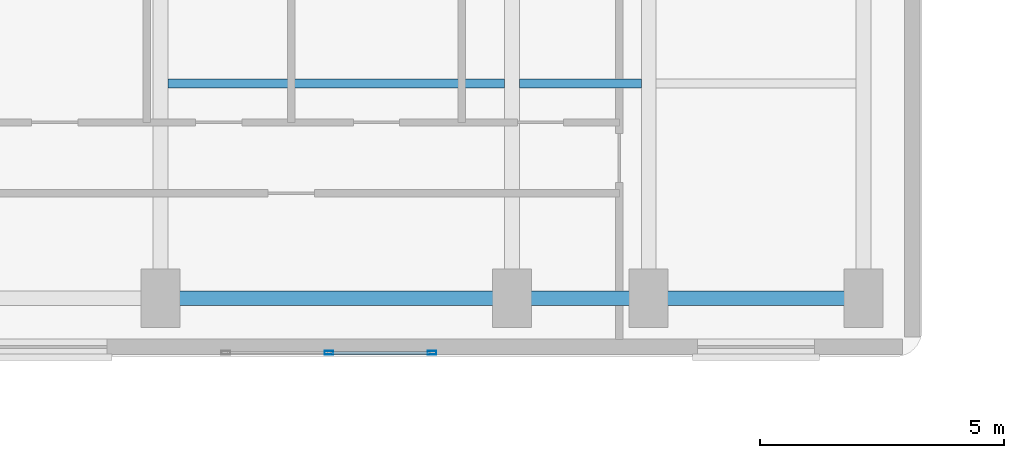
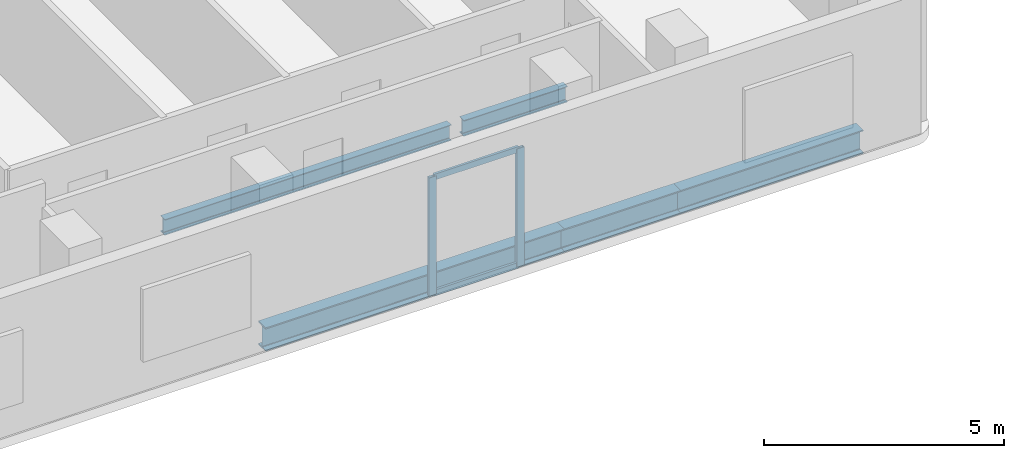
# One storey, part 6 of 16: 5 beams, 4 members, 1 element without a shape of its own.
"""IFC4 building model written with IfcOpenShell, lengths in metres."""

from ifc_helpers import new_model, si_unit, direction, frame, origin, origin_2d, place, context, subcontext, project, spatial, hollow_rectangle, i_section, extrude, material, material_profile, profile_set, type_object, element, aggregate, save


model = new_model("IFC4")

# Units and contexts
model_context = context("Model", 3, precision=1e-05, world=origin(), true_north=direction((0.0, 1.0)))
body_context = subcontext(model_context, "Body", "Model", "MODEL_VIEW")
ifc_project = project(units=[si_unit("LENGTHUNIT", "METRE"), si_unit("AREAUNIT", "SQUARE_METRE"), si_unit("VOLUMEUNIT", "CUBIC_METRE"), si_unit("PLANEANGLEUNIT", "RADIAN"), si_unit("MASSUNIT", "GRAM", prefix="KILO")], contexts=[model_context])

# Site, building, storey
site_placement = place(None, origin())
site = spatial("IfcSite", under=ifc_project, at=site_placement, CompositionType="ELEMENT")
building_placement = place(site_placement, origin())
building = spatial("IfcBuilding", under=site, at=building_placement, Name="Kuzgunbayir Cultural Tower", CompositionType="ELEMENT")
storey_placement = place(building_placement, frame((0.0, 0.0, 75.60009765625)))
storey = spatial("IfcBuildingStorey", under=building, at=storey_placement, Name="L21", CompositionType="ELEMENT", Elevation=75.60009765625)

# Beams
ifc_material_1 = material(Name="Steel S355J2", Category="steel")
ifc_material_profile_1 = material_profile(ifc_material_1, i_section(OverallWidth=0.300048828125, OverallDepth=0.60009765625, WebThickness=0.015380859375, FlangeThickness=0.030029296875, FilletRadius=0.027099609375, at=origin_2d()), Name="HEB 600")
ifc_profile_set_1 = profile_set([ifc_material_profile_1], Name="Steel S355J2")
beam_type_1 = type_object("IfcBeamType", Name="BM-EXT-HEB600", PredefinedType="BEAM", material=ifc_profile_set_1)
beam_1_placement = place(storey_placement, frame((31.199951171875, 27.60009765625, -0.5400390625), z_axis=(1.0, 0.0, 0.0), x_axis=(0.0, 1.0, 0.0)))
element("IfcBeam", 1, at=beam_1_placement, inside=storey, type_object=beam_type_1, Name="L21 Wing B South Girder 2", PredefinedType="BEAM", context=body_context, shape_type="SweptSolid", body=[
    extrude(i_section(OverallWidth=0.300048828125, OverallDepth=0.60009765625, WebThickness=0.015380859375, FlangeThickness=0.030029296875, FilletRadius=0.027099609375, at=origin_2d()), origin(), (0.0, 0.0, 1.0), 7.199951171875),
])
beam_2_placement = place(storey_placement, frame((38.39990234375, 27.60009765625, -0.5400390625), z_axis=(1.0, 0.0, 0.0), x_axis=(0.0, 1.0, 0.0)))
element("IfcBeam", 2, at=beam_2_placement, inside=storey, type_object=beam_type_1, Name="L21 Wing B South Girder 3", PredefinedType="BEAM", context=body_context, shape_type="SweptSolid", body=[
    extrude(i_section(OverallWidth=0.300048828125, OverallDepth=0.60009765625, WebThickness=0.015380859375, FlangeThickness=0.030029296875, FilletRadius=0.027099609375, at=origin_2d()), origin(), (0.0, 0.0, 1.0), 2.800048828125),
])
beam_3_placement = place(storey_placement, frame((41.199951171875, 27.60009765625, -0.5400390625), z_axis=(1.0, 0.0, 0.0), x_axis=(0.0, 1.0, 0.0)))
element("IfcBeam", 3, at=beam_3_placement, inside=storey, type_object=beam_type_1, Name="L21 Wing B South Girder 4", PredefinedType="BEAM", context=body_context, shape_type="SweptSolid", body=[
    extrude(i_section(OverallWidth=0.300048828125, OverallDepth=0.60009765625, WebThickness=0.015380859375, FlangeThickness=0.030029296875, FilletRadius=0.027099609375, at=origin_2d()), origin(), (0.0, 0.0, 1.0), 4.400146484375),
])
ifc_material_profile_2 = material_profile(ifc_material_1, i_section(OverallWidth=0.179931640625, OverallDepth=0.39990234375, WebThickness=0.008544921875, FlangeThickness=0.013427734375, FilletRadius=0.02099609375, at=origin_2d()), Name="IPE 400")
ifc_profile_set_2 = profile_set([ifc_material_profile_2], Name="Steel S355J2")
beam_type_2 = type_object("IfcBeamType", Name="BM-JST-IPE400", PredefinedType="JOIST", material=ifc_profile_set_2)
beam_4_placement = place(storey_placement, frame((31.35009765625, 32.0, -0.440185546875), z_axis=(1.0, 0.0, 0.0), x_axis=(0.0, 1.0, 0.0)))
element("IfcBeam", 4, at=beam_4_placement, inside=storey, type_object=beam_type_2, Name="L21 Wing B Secondary Joist 1.1", PredefinedType="JOIST", context=body_context, shape_type="SweptSolid", body=[
    extrude(i_section(OverallWidth=0.179931640625, OverallDepth=0.39990234375, WebThickness=0.008544921875, FlangeThickness=0.013427734375, FilletRadius=0.02099609375, at=origin_2d()), origin(), (0.0, 0.0, 1.0), 6.89990234375),
])
beam_5_placement = place(storey_placement, frame((38.550048828125, 32.0, -0.440185546875), z_axis=(1.0, 0.0, 0.0), x_axis=(0.0, 1.0, 0.0)))
element("IfcBeam", 5, at=beam_5_placement, inside=storey, type_object=beam_type_2, Name="L21 Wing B Secondary Joist 2.1", PredefinedType="JOIST", context=body_context, shape_type="SweptSolid", body=[
    extrude(i_section(OverallWidth=0.179931640625, OverallDepth=0.39990234375, WebThickness=0.008544921875, FlangeThickness=0.013427734375, FilletRadius=0.02099609375, at=origin_2d()), origin(), (0.0, 0.0, 1.0), 2.5),
])

# Curtain wall, members
ifc_material_2 = material(Name="Anodised Aluminium Framing", Category="aluminium")
curtain_wall_type = type_object("IfcCurtainWallType", Name="CW03-T1-OFFICE", PredefinedType="NOTDEFINED", material=ifc_material_2)
curtain_wall_placement = place(storey_placement, origin())
curtain_wall = element("IfcCurtainWall", 6, at=curtain_wall_placement, inside=storey, type_object=curtain_wall_type, Name="L21 Wing B South Feature Curtain Wall", PredefinedType="NOTDEFINED")
ifc_material_profile_3 = material_profile(ifc_material_2, hollow_rectangle(XDim=0.074951171875, YDim=0.179931640625, WallThickness=0.0048828125, at=origin_2d()), Name="RHS 180x75x5")
ifc_profile_set_3 = profile_set([ifc_material_profile_3], Name="Anodised Aluminium Framing")
member_type_1 = type_object("IfcMemberType", Name="MEM-CW-MULLION-180", PredefinedType="MULLION", material=ifc_profile_set_3)
member_1_placement = place(storey_placement, frame((34.64990234375, 26.47998046875, 0.0), z_axis=(0.0, 0.0, 1.0), x_axis=(0.0, 1.0, 0.0)))
member_1 = element("IfcMember", 7, at=member_1_placement, type_object=member_type_1, Name="CW03 mullion 2", PredefinedType="MULLION", context=body_context, shape_type="SweptSolid", body=[
    extrude(hollow_rectangle(XDim=0.074951171875, YDim=0.179931640625, WallThickness=0.0048828125, at=origin_2d()), origin(), (0.0, 0.0, 1.0), 3.010009765625),
])
member_2_placement = place(storey_placement, frame((36.762451171875, 26.47998046875, 0.0), z_axis=(0.0, 0.0, 1.0), x_axis=(0.0, 1.0, 0.0)))
member_2 = element("IfcMember", 8, at=member_2_placement, type_object=member_type_1, Name="CW03 mullion 3", PredefinedType="MULLION", context=body_context, shape_type="SweptSolid", body=[
    extrude(hollow_rectangle(XDim=0.074951171875, YDim=0.179931640625, WallThickness=0.0048828125, at=origin_2d()), origin(), (0.0, 0.0, 1.0), 3.010009765625),
])
ifc_material_profile_4 = material_profile(ifc_material_2, hollow_rectangle(XDim=0.06005859375, YDim=0.14990234375, WallThickness=0.00390625, at=origin_2d()), Name="RHS 150x60x4")
ifc_profile_set_4 = profile_set([ifc_material_profile_4], Name="Anodised Aluminium Framing")
member_type_2 = type_object("IfcMemberType", Name="MEM-CW-TRANSOM-150", PredefinedType="USERDEFINED", material=ifc_profile_set_4)
member_3_placement = place(storey_placement, frame((34.6875, 26.47998046875, 0.02978515625), z_axis=(1.0, 0.0, 0.0), x_axis=(0.0, 1.0, 0.0)))
member_3 = element("IfcMember", 9, at=member_3_placement, type_object=member_type_2, Name="CW03 transom 2.1", ObjectType="TRANSOM", PredefinedType="USERDEFINED", context=body_context, shape_type="SweptSolid", body=[
    extrude(hollow_rectangle(XDim=0.06005859375, YDim=0.14990234375, WallThickness=0.00390625, at=origin_2d()), origin(), (0.0, 0.0, 1.0), 2.03759765625),
])
member_4_placement = place(storey_placement, frame((34.6875, 26.47998046875, 2.97998046875), z_axis=(1.0, 0.0, 0.0), x_axis=(0.0, 1.0, 0.0)))
member_4 = element("IfcMember", 10, at=member_4_placement, type_object=member_type_2, Name="CW03 transom 2.2", ObjectType="TRANSOM", PredefinedType="USERDEFINED", context=body_context, shape_type="SweptSolid", body=[
    extrude(hollow_rectangle(XDim=0.06005859375, YDim=0.14990234375, WallThickness=0.00390625, at=origin_2d()), origin(), (0.0, 0.0, 1.0), 2.03759765625),
])
aggregate(curtain_wall, [member_1, member_2, member_3, member_4])

save(model, "model.ifc")
